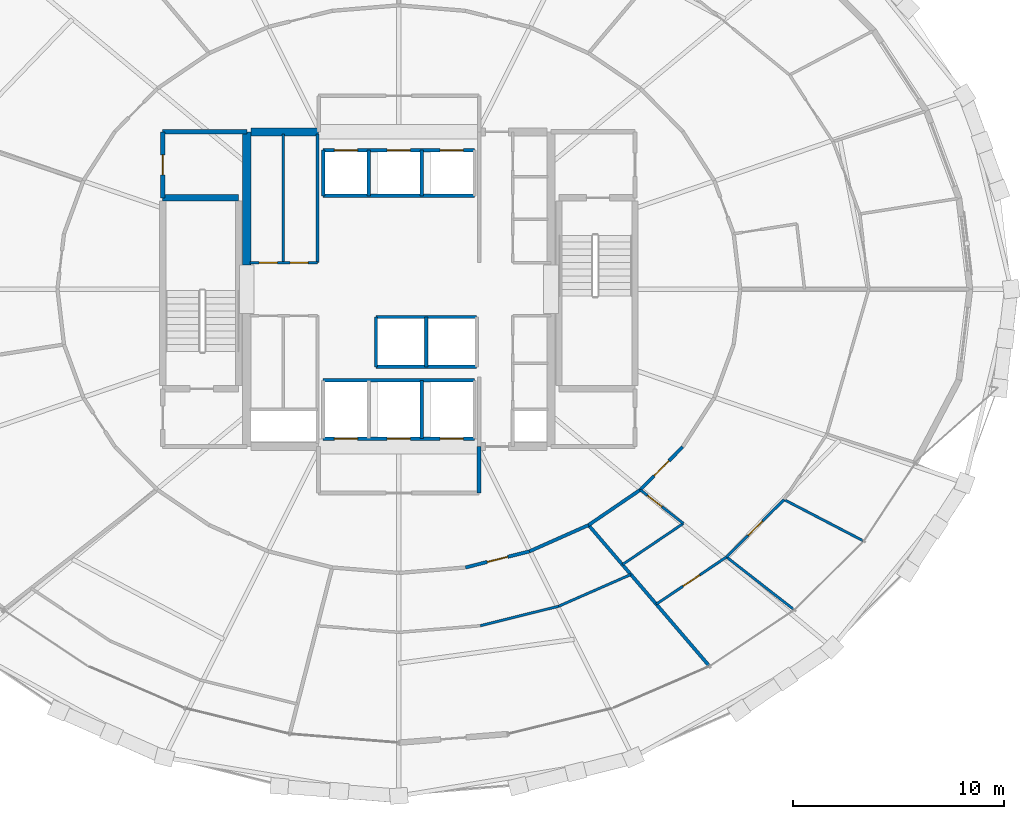
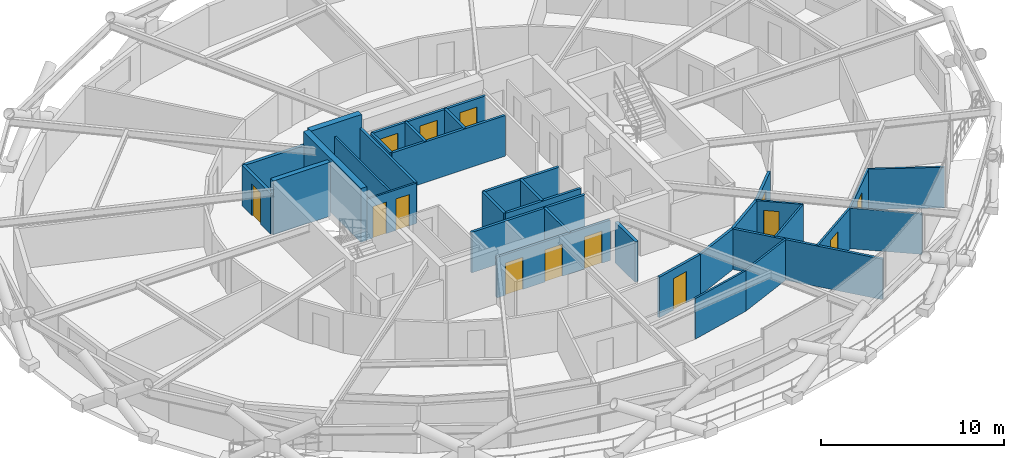
# One storey, part 14 of 19: 34 walls, 14 doors, 14 openings.
"""IFC4 building model written with IfcOpenShell, lengths in metres."""

from ifc_helpers import new_model, si_unit, direction, frame, frame_2d, origin, place, context, subcontext, project, spatial, rectangle, extrude, material, layer, layer_set, type_object, element, fill, save


model = new_model("IFC4")

# Units and contexts
model_context = context("Model", 3, precision=1e-05, world=origin(), true_north=direction((0.0, 1.0)))
body_context = subcontext(model_context, "Body", "Model", "MODEL_VIEW")
ifc_project = project(units=[si_unit("LENGTHUNIT", "METRE"), si_unit("AREAUNIT", "SQUARE_METRE"), si_unit("VOLUMEUNIT", "CUBIC_METRE"), si_unit("PLANEANGLEUNIT", "RADIAN"), si_unit("MASSUNIT", "GRAM", prefix="KILO")], contexts=[model_context])

# Site, building, storey
site_placement = place(None, origin())
site = spatial("IfcSite", under=ifc_project, at=site_placement, CompositionType="ELEMENT")
building_placement = place(site_placement, origin())
building = spatial("IfcBuilding", under=site, at=building_placement, Name="Veldorina Hangang Commons", CompositionType="ELEMENT")
storey_placement = place(building_placement, frame((0.0, 0.0, 77.199951171875)))
storey = spatial("IfcBuildingStorey", under=building, at=storey_placement, Name="L19", CompositionType="ELEMENT", Elevation=77.199951171875)

# Walls
ifc_material_1 = material(Name="Concrete C70/85", Category="concrete")
ifc_layer_1 = layer(ifc_material_1, 0.3798828125)
ifc_layer_set_1 = layer_set([ifc_layer_1], Name="Concrete C70/85")
wall_type_1 = type_object("IfcWallType", Name="CW-RC380-C70", PredefinedType="SHEAR", material=ifc_layer_set_1)
wall_1_placement = place(storey_placement, frame((24.800048828125, 25.14990234375, 0.0), z_axis=(0.0, 0.0, 1.0), x_axis=(0.0, 1.0, 0.0)))
element("IfcWall", 1, at=wall_1_placement, inside=storey, type_object=wall_type_1, Name="L19 W north core shear wall", PredefinedType="SHEAR", context=body_context, shape_type="SweptSolid", body=[
    extrude(rectangle(XDim=6.300048828125, YDim=0.3798828125, at=frame_2d((3.14990234375, 0.0))), origin(), (0.0, 0.0, 1.0), 3.60009765625),
])
wall_2_placement = place(storey_placement, frame((24.989990234375, 31.449951171875, 0.0), z_axis=(0.0, 0.0, 1.0), x_axis=(1.0, 0.0, 0.0)))
element("IfcWall", 2, at=wall_2_placement, inside=storey, type_object=wall_type_1, Name="L19 north-west core shear wall", PredefinedType="SHEAR", context=body_context, shape_type="SweptSolid", body=[
    extrude(rectangle(XDim=3.2099609375, YDim=0.3798828125, at=frame_2d((1.60498046875, 0.0))), origin(), (0.0, 0.0, 1.0), 3.60009765625),
])
ifc_material_2 = material(Name="Concrete C50/60", Category="concrete")
ifc_layer_2 = layer(ifc_material_2, 0.300048828125)
ifc_layer_set_2 = layer_set([ifc_layer_2], Name="Concrete C50/60")
wall_type_2 = type_object("IfcWallType", Name="SW-STAIR-300", PredefinedType="SHEAR", material=ifc_layer_set_2)
wall_3_placement = place(storey_placement, frame((20.820068359375, 28.320068359375, 0.0), z_axis=(0.0, 0.0, 1.0), x_axis=(1.0, 0.0, 0.0)))
element("IfcWall", 3, at=wall_3_placement, inside=storey, type_object=wall_type_2, Name="L19 ST1 north stair shear wall", PredefinedType="SHEAR", context=body_context, shape_type="SweptSolid", body=[
    extrude(rectangle(XDim=3.599853515625, YDim=0.300048828125, at=frame_2d((1.7998046875, 0.0))), origin(), (0.0, 0.0, 1.0), 3.60009765625),
])

# Wall, openings, doors
ifc_material_3 = material(Name="Gypsum Fire-Rated Twin Stud Wall", Category="gypsum")
ifc_layer_3 = layer(ifc_material_3, 0.159912109375)
ifc_layer_set_3 = layer_set([ifc_layer_3], Name="Gypsum Fire-Rated Twin Stud Wall")
wall_type_3 = type_object("IfcWallType", Name="WL-FIRE-160", PredefinedType="SOLIDWALL", material=ifc_layer_set_3)
wall_4_placement = place(storey_placement, frame((28.419921875, 30.580078125, 0.0), z_axis=(0.0, 0.0, 1.0), x_axis=(1.0, 0.0, 0.0)))
wall_4 = element("IfcWall", 4, at=wall_4_placement, inside=storey, type_object=wall_type_3, Name="L19 Low-bank front shaft wall 015", PredefinedType="SOLIDWALL", context=body_context, shape_type="SweptSolid", body=[
    extrude(rectangle(XDim=7.16015625, YDim=0.159912109375, at=frame_2d((3.580078125, 0.0))), origin(), (0.0, 0.0, 1.0), 2.7099609375),
])
opening_1_placement = place(wall_4_placement, frame((0.530029296875, 0.0, 0.0)))
opening_1 = element("IfcOpeningElement", 5, at=opening_1_placement, cuts=wall_4, Name="Opening LD-01", PredefinedType="OPENING", context=body_context, shape_type="SweptSolid", body=[
    extrude(rectangle(XDim=1.10009765625, YDim=2.14990234375, at=frame_2d((0.550048828125, 1.074951171875))), frame((0.0, 0.08984375, 0.0), z_axis=(0.0, -1.0, 0.0), x_axis=(1.0, 0.0, 0.0)), (0.0, 0.0, 1.0), 0.179931640625),
])
opening_2_placement = place(wall_4_placement, frame((3.030029296875, 0.0, 0.0)))
opening_2 = element("IfcOpeningElement", 6, at=opening_2_placement, cuts=wall_4, Name="Opening LD-01", PredefinedType="OPENING", context=body_context, shape_type="SweptSolid", body=[
    extrude(rectangle(XDim=1.10009765625, YDim=2.14990234375, at=frame_2d((0.550048828125, 1.074951171875))), frame((0.0, 0.08984375, 0.0), z_axis=(0.0, -1.0, 0.0), x_axis=(1.0, 0.0, 0.0)), (0.0, 0.0, 1.0), 0.179931640625),
])
opening_3_placement = place(wall_4_placement, frame((5.530029296875, 0.0, 0.0)))
opening_3 = element("IfcOpeningElement", 7, at=opening_3_placement, cuts=wall_4, Name="Opening LD-01", PredefinedType="OPENING", context=body_context, shape_type="SweptSolid", body=[
    extrude(rectangle(XDim=1.10009765625, YDim=2.14990234375, at=frame_2d((0.550048828125, 1.074951171875))), frame((0.0, 0.08984375, 0.0), z_axis=(0.0, -1.0, 0.0), x_axis=(1.0, 0.0, 0.0)), (0.0, 0.0, 1.0), 0.179931640625),
])
ifc_material_4 = material(Name="Stainless Steel Brushed Lift Door", Category="steel")
door_type_1 = type_object("IfcDoorType", Name="DR-LIFT-1100", OperationType="SLIDING_TO_LEFT", PredefinedType="DOOR", material=ifc_material_4)
door_1_placement = place(opening_1_placement, origin())
door_1 = element("IfcDoor", 8, at=door_1_placement, inside=storey, type_object=door_type_1, Name="L19 Lift PL-L1 landing door 006", OperationType="SLIDING_TO_LEFT", OverallHeight=2.14990234375, OverallWidth=1.10009765625, PredefinedType="DOOR", context=body_context, shape_type="SweptSolid", body=[
    extrude(rectangle(XDim=1.10009765625, YDim=2.14990234375, at=frame_2d((0.550048828125, 1.074951171875))), frame((0.0, 0.02490234375, 0.0), z_axis=(0.0, -1.0, 0.0), x_axis=(1.0, 0.0, 0.0)), (0.0, 0.0, 1.0), 0.050048828125),
])
fill(opening_1, door_1)
door_2_placement = place(opening_2_placement, origin())
door_2 = element("IfcDoor", 9, at=door_2_placement, inside=storey, type_object=door_type_1, Name="L19 Lift PL-L2 landing door 007", OperationType="SLIDING_TO_LEFT", OverallHeight=2.14990234375, OverallWidth=1.10009765625, PredefinedType="DOOR", context=body_context, shape_type="SweptSolid", body=[
    extrude(rectangle(XDim=1.10009765625, YDim=2.14990234375, at=frame_2d((0.550048828125, 1.074951171875))), frame((0.0, 0.02490234375, 0.0), z_axis=(0.0, -1.0, 0.0), x_axis=(1.0, 0.0, 0.0)), (0.0, 0.0, 1.0), 0.050048828125),
])
fill(opening_2, door_2)
door_3_placement = place(opening_3_placement, origin())
door_3 = element("IfcDoor", 10, at=door_3_placement, inside=storey, type_object=door_type_1, Name="L19 Lift PL-L3 landing door 008", OperationType="SLIDING_TO_LEFT", OverallHeight=2.14990234375, OverallWidth=1.10009765625, PredefinedType="DOOR", context=body_context, shape_type="SweptSolid", body=[
    extrude(rectangle(XDim=1.10009765625, YDim=2.14990234375, at=frame_2d((0.550048828125, 1.074951171875))), frame((0.0, 0.02490234375, 0.0), z_axis=(0.0, -1.0, 0.0), x_axis=(1.0, 0.0, 0.0)), (0.0, 0.0, 1.0), 0.050048828125),
])
fill(opening_3, door_3)

# Walls
wall_5_placement = place(storey_placement, frame((28.419921875, 28.419921875, 0.0), z_axis=(0.0, 0.0, 1.0), x_axis=(1.0, 0.0, 0.0)))
element("IfcWall", 11, at=wall_5_placement, inside=storey, type_object=wall_type_3, Name="L19 Low-bank rear shaft wall 016", PredefinedType="SOLIDWALL", context=body_context, shape_type="SweptSolid", body=[
    extrude(rectangle(XDim=7.16015625, YDim=0.159912109375, at=frame_2d((3.580078125, 0.0))), origin(), (0.0, 0.0, 1.0), 2.7099609375),
])
for number, where, z_axis, x_axis, name in (
    (12, (28.419921875, 28.419921875, 0.0), (0.0, 0.0, 1.0), (0.0, 1.0, 0.0), "L19 PL-L1 west shaft wall 017"),
    (13, (30.580078125, 28.419921875, 0.0), (0.0, 0.0, 1.0), (0.0, 1.0, 0.0), "L19 PL-L1 east shaft wall 018"),
    (14, (33.080078125, 28.419921875, 0.0), (0.0, 0.0, 1.0), (0.0, 1.0, 0.0), "L19 PL-L2 east shaft wall 019"),
):
    element("IfcWall", number, at=place(storey_placement, frame(where, z_axis=z_axis, x_axis=x_axis)), inside=storey, type_object=wall_type_3, Name=name, PredefinedType="SOLIDWALL", context=body_context, shape_type="SweptSolid", body=[
        extrude(rectangle(XDim=2.16015625, YDim=0.159912109375, at=frame_2d((1.080078125, 0.0))), origin(), (0.0, 0.0, 1.0), 2.7099609375),
    ])
for number, where, z_axis, x_axis, name in (
    (15, (30.919921875, 22.679931640625, 0.0), (0.0, 0.0, 1.0), (1.0, 0.0, 0.0), "L19 Shuttle-high front shaft wall 021"),
    (16, (30.919921875, 20.320068359375, 0.0), (0.0, 0.0, 1.0), (1.0, 0.0, 0.0), "L19 Shuttle-high rear shaft wall 022"),
):
    element("IfcWall", number, at=place(storey_placement, frame(where, z_axis=z_axis, x_axis=x_axis)), inside=storey, type_object=wall_type_3, Name=name, PredefinedType="SOLIDWALL", context=body_context, shape_type="SweptSolid", body=[
        extrude(rectangle(XDim=4.760009765625, YDim=0.159912109375, at=frame_2d((2.3798828125, 0.0))), origin(), (0.0, 0.0, 1.0), 2.7099609375),
    ])
for number, where, z_axis, x_axis, name in (
    (17, (30.919921875, 20.320068359375, 0.0), (0.0, 0.0, 1.0), (0.0, 1.0, 0.0), "L19 SL-1 west shaft wall 023"),
    (18, (33.300048828125, 20.320068359375, 0.0), (0.0, 0.0, 1.0), (0.0, 1.0, 0.0), "L19 SL-1 east shaft wall 024"),
):
    element("IfcWall", number, at=place(storey_placement, frame(where, z_axis=z_axis, x_axis=x_axis)), inside=storey, type_object=wall_type_3, Name=name, PredefinedType="SOLIDWALL", context=body_context, shape_type="SweptSolid", body=[
        extrude(rectangle(XDim=2.35986328125, YDim=0.159912109375, at=frame_2d((1.179931640625, 0.0))), origin(), (0.0, 0.0, 1.0), 2.7099609375),
    ])

# Wall, openings, doors
wall_6_placement = place(storey_placement, frame((28.419921875, 16.919921875, 0.0), z_axis=(0.0, 0.0, 1.0), x_axis=(1.0, 0.0, 0.0)))
wall_6 = element("IfcWall", 19, at=wall_6_placement, inside=storey, type_object=wall_type_3, Name="L19 Emergency front shaft wall 026", PredefinedType="SOLIDWALL", context=body_context, shape_type="SweptSolid", body=[
    extrude(rectangle(XDim=7.16015625, YDim=0.159912109375, at=frame_2d((3.580078125, 0.0))), origin(), (0.0, 0.0, 1.0), 2.7099609375),
])
opening_4_placement = place(wall_6_placement, frame((0.530029296875, 0.0, 0.0)))
opening_4 = element("IfcOpeningElement", 20, at=opening_4_placement, cuts=wall_6, Name="Opening LD-03", PredefinedType="OPENING", context=body_context, shape_type="SweptSolid", body=[
    extrude(rectangle(XDim=1.10009765625, YDim=2.14990234375, at=frame_2d((0.550048828125, 1.074951171875))), frame((0.0, 0.08984375, 0.0), z_axis=(0.0, -1.0, 0.0), x_axis=(1.0, 0.0, 0.0)), (0.0, 0.0, 1.0), 0.179931640625),
])
opening_5_placement = place(wall_6_placement, frame((3.030029296875, 0.0, 0.0)))
opening_5 = element("IfcOpeningElement", 21, at=opening_5_placement, cuts=wall_6, Name="Opening LD-03", PredefinedType="OPENING", context=body_context, shape_type="SweptSolid", body=[
    extrude(rectangle(XDim=1.10009765625, YDim=2.14990234375, at=frame_2d((0.550048828125, 1.074951171875))), frame((0.0, 0.08984375, 0.0), z_axis=(0.0, -1.0, 0.0), x_axis=(1.0, 0.0, 0.0)), (0.0, 0.0, 1.0), 0.179931640625),
])
opening_6_placement = place(wall_6_placement, frame((5.530029296875, 0.0, 0.0)))
opening_6 = element("IfcOpeningElement", 22, at=opening_6_placement, cuts=wall_6, Name="Opening LD-03", PredefinedType="OPENING", context=body_context, shape_type="SweptSolid", body=[
    extrude(rectangle(XDim=1.10009765625, YDim=2.14990234375, at=frame_2d((0.550048828125, 1.074951171875))), frame((0.0, 0.08984375, 0.0), z_axis=(0.0, -1.0, 0.0), x_axis=(1.0, 0.0, 0.0)), (0.0, 0.0, 1.0), 0.179931640625),
])
ifc_material_5 = material(Name="Stainless Steel Firefighting Lift Door", Category="steel")
door_type_2 = type_object("IfcDoorType", Name="DR-LIFT-FF1100", OperationType="SLIDING_TO_RIGHT", PredefinedType="DOOR", material=ifc_material_5)
door_4_placement = place(opening_4_placement, origin())
door_4 = element("IfcDoor", 23, at=door_4_placement, inside=storey, type_object=door_type_2, Name="L19 Emergency lift FFL-1 landing door 009", OperationType="SLIDING_TO_RIGHT", OverallHeight=2.14990234375, OverallWidth=1.10009765625, PredefinedType="DOOR", context=body_context, shape_type="SweptSolid", body=[
    extrude(rectangle(XDim=1.10009765625, YDim=2.14990234375, at=frame_2d((0.550048828125, 1.074951171875))), frame((0.0, 0.02490234375, 0.0), z_axis=(0.0, -1.0, 0.0), x_axis=(1.0, 0.0, 0.0)), (0.0, 0.0, 1.0), 0.050048828125),
])
fill(opening_4, door_4)
door_5_placement = place(opening_5_placement, origin())
door_5 = element("IfcDoor", 24, at=door_5_placement, inside=storey, type_object=door_type_2, Name="L19 Emergency lift FFL-2 landing door 010", OperationType="SLIDING_TO_RIGHT", OverallHeight=2.14990234375, OverallWidth=1.10009765625, PredefinedType="DOOR", context=body_context, shape_type="SweptSolid", body=[
    extrude(rectangle(XDim=1.10009765625, YDim=2.14990234375, at=frame_2d((0.550048828125, 1.074951171875))), frame((0.0, 0.02490234375, 0.0), z_axis=(0.0, -1.0, 0.0), x_axis=(1.0, 0.0, 0.0)), (0.0, 0.0, 1.0), 0.050048828125),
])
fill(opening_5, door_5)
door_6_placement = place(opening_6_placement, origin())
door_6 = element("IfcDoor", 25, at=door_6_placement, inside=storey, type_object=door_type_2, Name="L19 Emergency lift EVL-1 landing door 011", OperationType="SLIDING_TO_RIGHT", OverallHeight=2.14990234375, OverallWidth=1.10009765625, PredefinedType="DOOR", context=body_context, shape_type="SweptSolid", body=[
    extrude(rectangle(XDim=1.10009765625, YDim=2.14990234375, at=frame_2d((0.550048828125, 1.074951171875))), frame((0.0, 0.02490234375, 0.0), z_axis=(0.0, -1.0, 0.0), x_axis=(1.0, 0.0, 0.0)), (0.0, 0.0, 1.0), 0.050048828125),
])
fill(opening_6, door_6)

# Walls
wall_7_placement = place(storey_placement, frame((28.419921875, 19.679931640625, 0.0), z_axis=(0.0, 0.0, 1.0), x_axis=(1.0, 0.0, 0.0)))
element("IfcWall", 26, at=wall_7_placement, inside=storey, type_object=wall_type_3, Name="L19 Emergency rear shaft wall 027", PredefinedType="SOLIDWALL", context=body_context, shape_type="SweptSolid", body=[
    extrude(rectangle(XDim=7.16015625, YDim=0.159912109375, at=frame_2d((3.580078125, 0.0))), origin(), (0.0, 0.0, 1.0), 2.7099609375),
])
wall_8_placement = place(storey_placement, frame((33.080078125, 16.919921875, 0.0), z_axis=(0.0, 0.0, 1.0), x_axis=(0.0, 1.0, 0.0)))
element("IfcWall", 27, at=wall_8_placement, inside=storey, type_object=wall_type_3, Name="L19 FFL-2 east shaft wall 030", PredefinedType="SOLIDWALL", context=body_context, shape_type="SweptSolid", body=[
    extrude(rectangle(XDim=2.760009765625, YDim=0.159912109375, at=frame_2d((1.3798828125, 0.0))), origin(), (0.0, 0.0, 1.0), 2.7099609375),
])
wall_9_placement = place(storey_placement, frame((28.14990234375, 25.25, 0.0), z_axis=(0.0, 0.0, 1.0), x_axis=(0.0, 1.0, 0.0)))
element("IfcWall", 28, at=wall_9_placement, inside=storey, type_object=wall_type_3, Name="L19 NW core inner wall 038", PredefinedType="SOLIDWALL", context=body_context, shape_type="SweptSolid", body=[
    extrude(rectangle(XDim=6.10009765625, YDim=0.159912109375, at=frame_2d((3.050048828125, 0.0))), origin(), (0.0, 0.0, 1.0), 2.7099609375),
])

# Wall, opening, door
wall_10_placement = place(storey_placement, frame((35.153076171875, 10.82421875, 0.0), z_axis=(0.0, 0.0, 1.0), x_axis=(0.969653665365, 0.244482656326, 0.0)))
wall_10 = element("IfcWall", 29, at=wall_10_placement, inside=storey, type_object=wall_type_3, Name="L19 Corridor outer wall 25 075", PredefinedType="SOLIDWALL", context=body_context, shape_type="SweptSolid", body=[
    extrude(rectangle(XDim=3.126708984375, YDim=0.159912109375, at=frame_2d((1.5634765625, 0.0))), origin(), (0.0, 0.0, 1.0), 2.7099609375),
])
opening_7_placement = place(wall_10_placement, frame((1.0634765625, 0.0, 0.0)))
opening_7 = element("IfcOpeningElement", 30, at=opening_7_placement, cuts=wall_10, Name="Opening D-05", PredefinedType="OPENING", context=body_context, shape_type="SweptSolid", body=[
    extrude(rectangle(XDim=1.0, YDim=2.10009765625, at=frame_2d((0.5, 1.050048828125))), frame((0.0, 0.08984375, 0.0), z_axis=(0.0, -1.0, 0.0), x_axis=(1.0, 0.0, 0.0)), (0.0, 0.0, 1.0), 0.179931640625),
])
ifc_material_6 = material(Name="Timber Solid Core Acoustic", Category="wood")
door_type_3 = type_object("IfcDoorType", Name="DR-INT-1000", OperationType="SINGLE_SWING_RIGHT", PredefinedType="DOOR", material=ifc_material_6)
door_7_placement = place(opening_7_placement, origin())
door_7 = element("IfcDoor", 31, at=door_7_placement, inside=storey, type_object=door_type_3, Name="L19 Commons alcove door 022", OperationType="SINGLE_SWING_RIGHT", OverallHeight=2.10009765625, OverallWidth=1.0, PredefinedType="DOOR", context=body_context, shape_type="SweptSolid", body=[
    extrude(rectangle(XDim=1.0, YDim=2.10009765625, at=frame_2d((0.5, 1.050048828125))), frame((0.0, 0.02490234375, 0.0), z_axis=(0.0, -1.0, 0.0), x_axis=(1.0, 0.0, 0.0)), (0.0, 0.0, 1.0), 0.050048828125),
])
fill(opening_7, door_7)

# Walls
wall_11_placement = place(storey_placement, frame((38.184814453125, 11.588623046875, 0.0), z_axis=(0.0, 0.0, 1.0), x_axis=(0.913860932409, 0.406027334321, 0.0)))
element("IfcWall", 32, at=wall_11_placement, inside=storey, type_object=wall_type_3, Name="L19 Corridor outer wall 26 076", PredefinedType="SOLIDWALL", context=body_context, shape_type="SweptSolid", body=[
    extrude(rectangle(XDim=3.0576171875, YDim=0.159912109375, at=frame_2d((1.52880859375, 0.0))), origin(), (0.0, 0.0, 1.0), 2.7099609375),
])
wall_12_placement = place(storey_placement, frame((40.97900390625, 12.830078125, 0.0), z_axis=(0.0, 0.0, 1.0), x_axis=(0.826112340767, 0.563505457323, 0.0)))
element("IfcWall", 33, at=wall_12_placement, inside=storey, type_object=wall_type_3, Name="L19 Corridor outer wall 27 077", PredefinedType="SOLIDWALL", context=body_context, shape_type="SweptSolid", body=[
    extrude(rectangle(XDim=2.96484375, YDim=0.159912109375, at=frame_2d((1.482421875, 0.0))), origin(), (0.0, 0.0, 1.0), 2.7099609375),
])

# Wall, opening, door
wall_13_placement = place(storey_placement, frame((43.42822265625, 14.500732421875, 0.0), z_axis=(0.0, 0.0, 1.0), x_axis=(0.702569520063, 0.711615113301, 0.0)))
wall_13 = element("IfcWall", 34, at=wall_13_placement, inside=storey, type_object=wall_type_3, Name="L19 Corridor outer wall 28 078", PredefinedType="SOLIDWALL", context=body_context, shape_type="SweptSolid", body=[
    extrude(rectangle(XDim=2.86083984375, YDim=0.159912109375, at=frame_2d((1.430419921875, 0.0))), origin(), (0.0, 0.0, 1.0), 2.7099609375),
])
opening_8_placement = place(wall_13_placement, frame((0.930419921875, 0.0, 0.0)))
opening_8 = element("IfcOpeningElement", 35, at=opening_8_placement, cuts=wall_13, Name="Opening D-06", PredefinedType="OPENING", context=body_context, shape_type="SweptSolid", body=[
    extrude(rectangle(XDim=1.0, YDim=2.10009765625, at=frame_2d((0.5, 1.050048828125))), frame((0.0, 0.08984375, 0.0), z_axis=(0.0, -1.0, 0.0), x_axis=(1.0, 0.0, 0.0)), (0.0, 0.0, 1.0), 0.179931640625),
])
ifc_material_7 = material(Name="Timber Fire-Rated Entrance Core", Category="wood")
door_type_4 = type_object("IfcDoorType", Name="DR-UNIT-1000", OperationType="SINGLE_SWING_LEFT", PredefinedType="DOOR", material=ifc_material_7)
door_8_placement = place(opening_8_placement, origin())
door_8 = element("IfcDoor", 36, at=door_8_placement, inside=storey, type_object=door_type_4, Name="L19 Cluster 2 entrance door 025", OperationType="SINGLE_SWING_LEFT", OverallHeight=2.10009765625, OverallWidth=1.0, PredefinedType="DOOR", context=body_context, shape_type="SweptSolid", body=[
    extrude(rectangle(XDim=1.0, YDim=2.10009765625, at=frame_2d((0.5, 1.050048828125))), frame((0.0, 0.02490234375, 0.0), z_axis=(0.0, -1.0, 0.0), x_axis=(1.0, 0.0, 0.0)), (0.0, 0.0, 1.0), 0.050048828125),
])
fill(opening_8, door_8)

# Wall
wall_14_placement = place(storey_placement, frame((40.97900390625, 12.830078125, 0.0), z_axis=(0.0, 0.0, 1.0), x_axis=(0.650772992722, -0.759272356894, 0.0)))
element("IfcWall", 37, at=wall_14_placement, inside=storey, type_object=wall_type_3, Name="L19 Unit party wall 27 087", PredefinedType="SOLIDWALL", context=body_context, shape_type="SweptSolid", body=[
    extrude(rectangle(XDim=8.7509765625, YDim=0.159912109375, at=frame_2d((4.37548828125, 0.0))), origin(), (0.0, 0.0, 1.0), 2.7099609375),
])

# Wall, opening, door
ifc_material_8 = material(Name="Concrete Blockwork Fire Wall C30/37", Category="masonry")
ifc_layer_4 = layer(ifc_material_8, 0.199951171875)
ifc_layer_set_4 = layer_set([ifc_layer_4], Name="Concrete Blockwork Fire Wall C30/37")
wall_type_4 = type_object("IfcWallType", Name="WL-FIRE-200", PredefinedType="SOLIDWALL", material=ifc_layer_set_4)
wall_15_placement = place(storey_placement, frame((20.820068359375, 28.320068359375, 0.0), z_axis=(0.0, 0.0, 1.0), x_axis=(0.0, 1.0, 0.0)))
wall_15 = element("IfcWall", 38, at=wall_15_placement, inside=storey, type_object=wall_type_4, Name="L19 NW core room outer wall 005", PredefinedType="SOLIDWALL", context=body_context, shape_type="SweptSolid", body=[
    extrude(rectangle(XDim=3.1298828125, YDim=0.199951171875, at=frame_2d((1.56494140625, 0.0))), origin(), (0.0, 0.0, 1.0), 2.7099609375),
])
opening_9_placement = place(wall_15_placement, frame((1.090087890625, 0.0, 0.0)))
opening_9 = element("IfcOpeningElement", 39, at=opening_9_placement, cuts=wall_15, Name="Opening D-04", PredefinedType="OPENING", context=body_context, shape_type="SweptSolid", body=[
    extrude(rectangle(XDim=0.949951171875, YDim=2.10009765625, at=frame_2d((0.47509765625, 1.050048828125))), frame((0.0, 0.10986328125, 0.0), z_axis=(0.0, -1.0, 0.0), x_axis=(1.0, 0.0, 0.0)), (0.0, 0.0, 1.0), 0.219970703125),
])
ifc_material_9 = material(Name="Timber Accessible Flush Leaf", Category="wood")
door_type_5 = type_object("IfcDoorType", Name="DR-ACC-950", OperationType="SINGLE_SWING_LEFT", PredefinedType="DOOR", material=ifc_material_9)
door_9_placement = place(opening_9_placement, origin())
door_9 = element("IfcDoor", 40, at=door_9_placement, inside=storey, type_object=door_type_5, Name="L19 NW core WC door 003", OperationType="SINGLE_SWING_LEFT", OverallHeight=2.10009765625, OverallWidth=0.949951171875, PredefinedType="DOOR", context=body_context, shape_type="SweptSolid", body=[
    extrude(rectangle(XDim=0.949951171875, YDim=2.10009765625, at=frame_2d((0.47509765625, 1.050048828125))), frame((0.0, 0.02490234375, 0.0), z_axis=(0.0, -1.0, 0.0), x_axis=(1.0, 0.0, 0.0)), (0.0, 0.0, 1.0), 0.050048828125),
])
fill(opening_9, door_9)

# Walls
wall_16_placement = place(storey_placement, frame((20.820068359375, 31.449951171875, 0.0), z_axis=(0.0, 0.0, 1.0), x_axis=(1.0, 0.0, 0.0)))
element("IfcWall", 41, at=wall_16_placement, inside=storey, type_object=wall_type_4, Name="L19 NW core room north wall 006", PredefinedType="SOLIDWALL", context=body_context, shape_type="SweptSolid", body=[
    extrude(rectangle(XDim=3.97998046875, YDim=0.199951171875, at=frame_2d((1.989990234375, 0.0))), origin(), (0.0, 0.0, 1.0), 2.7099609375),
])
wall_17_placement = place(storey_placement, frame((35.800048828125, 14.35009765625, 0.0), z_axis=(0.0, 0.0, 1.0), x_axis=(0.0, 1.0, 0.0)))
element("IfcWall", 42, at=wall_17_placement, inside=storey, type_object=wall_type_4, Name="L19 FF lobby east wall 013", PredefinedType="SOLIDWALL", context=body_context, shape_type="SweptSolid", body=[
    extrude(rectangle(XDim=2.199951171875, YDim=0.199951171875, at=frame_2d((1.10009765625, 0.0))), origin(), (0.0, 0.0, 1.0), 2.7099609375),
])

# Wall, openings, doors
ifc_material_10 = material(Name="Gypsum Acoustic Stud Partition", Category="gypsum")
ifc_layer_5 = layer(ifc_material_10, 0.1201171875)
ifc_layer_set_5 = layer_set([ifc_layer_5], Name="Gypsum Acoustic Stud Partition")
wall_type_5 = type_object("IfcWallType", Name="WL-PART-120", PredefinedType="PARTITIONING", material=ifc_layer_set_5)
wall_18_placement = place(storey_placement, frame((24.949951171875, 25.25, 0.0), z_axis=(0.0, 0.0, 1.0), x_axis=(1.0, 0.0, 0.0)))
wall_18 = element("IfcWall", 43, at=wall_18_placement, inside=storey, type_object=wall_type_5, Name="L19 NW service south wall 039", PredefinedType="PARTITIONING", context=body_context, shape_type="SweptSolid", body=[
    extrude(rectangle(XDim=3.199951171875, YDim=0.1201171875, at=frame_2d((1.60009765625, 0.0))), origin(), (0.0, 0.0, 1.0), 2.7099609375),
])
opening_10_placement = place(wall_18_placement, frame((0.43994140625, 0.0, 0.0)))
opening_10 = element("IfcOpeningElement", 44, at=opening_10_placement, cuts=wall_18, Name="Opening D-01", PredefinedType="OPENING", context=body_context, shape_type="SweptSolid", body=[
    extrude(rectangle(XDim=0.860107421875, YDim=2.10009765625, at=frame_2d((0.43017578125, 1.050048828125))), frame((0.0, 0.070068359375, 0.0), z_axis=(0.0, -1.0, 0.0), x_axis=(1.0, 0.0, 0.0)), (0.0, 0.0, 1.0), 0.14013671875),
])
opening_11_placement = place(wall_18_placement, frame((1.89990234375, 0.0, 0.0)))
opening_11 = element("IfcOpeningElement", 45, at=opening_11_placement, cuts=wall_18, Name="Opening D-01", PredefinedType="OPENING", context=body_context, shape_type="SweptSolid", body=[
    extrude(rectangle(XDim=0.860107421875, YDim=2.10009765625, at=frame_2d((0.43017578125, 1.050048828125))), frame((0.0, 0.070068359375, 0.0), z_axis=(0.0, -1.0, 0.0), x_axis=(1.0, 0.0, 0.0)), (0.0, 0.0, 1.0), 0.14013671875),
])
ifc_material_11 = material(Name="Timber Moisture-Resistant Core", Category="wood")
door_type_6 = type_object("IfcDoorType", Name="DR-WET-860", OperationType="SINGLE_SWING_LEFT", PredefinedType="DOOR", material=ifc_material_11)
door_10_placement = place(opening_10_placement, origin())
door_10 = element("IfcDoor", 46, at=door_10_placement, inside=storey, type_object=door_type_6, Name="L19 Linen west door 013", OperationType="SINGLE_SWING_LEFT", OverallHeight=2.10009765625, OverallWidth=0.860107421875, PredefinedType="DOOR", context=body_context, shape_type="SweptSolid", body=[
    extrude(rectangle(XDim=0.860107421875, YDim=2.10009765625, at=frame_2d((0.43017578125, 1.050048828125))), frame((0.0, 0.02490234375, 0.0), z_axis=(0.0, -1.0, 0.0), x_axis=(1.0, 0.0, 0.0)), (0.0, 0.0, 1.0), 0.050048828125),
])
fill(opening_10, door_10)
door_11_placement = place(opening_11_placement, origin())
door_11 = element("IfcDoor", 47, at=door_11_placement, inside=storey, type_object=door_type_6, Name="L19 Data closet door 014", OperationType="SINGLE_SWING_RIGHT", OverallHeight=2.10009765625, OverallWidth=0.860107421875, PredefinedType="DOOR", context=body_context, shape_type="SweptSolid", body=[
    extrude(rectangle(XDim=0.860107421875, YDim=2.10009765625, at=frame_2d((0.43017578125, 1.050048828125))), frame((0.0, 0.02490234375, 0.0), z_axis=(0.0, -1.0, 0.0), x_axis=(1.0, 0.0, 0.0)), (0.0, 0.0, 1.0), 0.050048828125),
])
fill(opening_11, door_11)

# Walls
wall_19_placement = place(storey_placement, frame((26.530029296875, 25.25, 0.0), z_axis=(0.0, 0.0, 1.0), x_axis=(0.0, 1.0, 0.0)))
element("IfcWall", 48, at=wall_19_placement, inside=storey, type_object=wall_type_5, Name="L19 NW vertical split 045", PredefinedType="PARTITIONING", context=body_context, shape_type="SweptSolid", body=[
    extrude(rectangle(XDim=6.10009765625, YDim=0.1201171875, at=frame_2d((3.050048828125, 0.0))), origin(), (0.0, 0.0, 1.0), 2.7099609375),
])
wall_20_placement = place(storey_placement, frame((35.85693359375, 8.0654296875, 0.0), z_axis=(0.0, 0.0, 1.0), x_axis=(0.970303847532, 0.24188932069, 0.0)))
element("IfcWall", 49, at=wall_20_placement, inside=storey, type_object=wall_type_5, Name="L19 Lounge alcove split 2 085", PredefinedType="PARTITIONING", context=body_context, shape_type="SweptSolid", body=[
    extrude(rectangle(XDim=3.822265625, YDim=0.1201171875, at=frame_2d((1.9111328125, 0.0))), origin(), (0.0, 0.0, 1.0), 2.7099609375),
])
wall_21_placement = place(storey_placement, frame((39.565673828125, 8.989990234375, 0.0), z_axis=(0.0, 0.0, 1.0), x_axis=(0.915580022578, 0.402135825631, 0.0)))
element("IfcWall", 50, at=wall_21_placement, inside=storey, type_object=wall_type_5, Name="L19 Lounge alcove split 3 086", PredefinedType="PARTITIONING", context=body_context, shape_type="SweptSolid", body=[
    extrude(rectangle(XDim=3.733154296875, YDim=0.1201171875, at=frame_2d((1.86669921875, 0.0))), origin(), (0.0, 0.0, 1.0), 2.7099609375),
])
wall_22_placement = place(storey_placement, frame((42.582763671875, 10.958984375, 0.0), z_axis=(0.0, 0.0, 1.0), x_axis=(0.828573152584, 0.559880818404, 0.0)))
element("IfcWall", 51, at=wall_22_placement, inside=storey, type_object=wall_type_5, Name="L19 Cluster 2 bath front wall 088", PredefinedType="PARTITIONING", context=body_context, shape_type="SweptSolid", body=[
    extrude(rectangle(XDim=3.483642578125, YDim=0.1201171875, at=frame_2d((1.74169921875, 0.0))), origin(), (0.0, 0.0, 1.0), 2.7099609375),
])

# Wall, opening, door
wall_23_placement = place(storey_placement, frame((43.42822265625, 14.500732421875, 0.0), z_axis=(0.0, 0.0, 1.0), x_axis=(0.788630382034, -0.614867563409, 0.0)))
wall_23 = element("IfcWall", 52, at=wall_23_placement, inside=storey, type_object=wall_type_5, Name="L19 Cluster 2 bath side wall 089", PredefinedType="PARTITIONING", context=body_context, shape_type="SweptSolid", body=[
    extrude(rectangle(XDim=2.588134765625, YDim=0.1201171875, at=frame_2d((1.2939453125, 0.0))), origin(), (0.0, 0.0, 1.0), 2.7099609375),
])
opening_12_placement = place(wall_23_placement, frame((0.43994140625, 0.0, 0.0)))
opening_12 = element("IfcOpeningElement", 53, at=opening_12_placement, cuts=wall_23, Name="Opening D-01", PredefinedType="OPENING", context=body_context, shape_type="SweptSolid", body=[
    extrude(rectangle(XDim=0.860107421875, YDim=2.10009765625, at=frame_2d((0.43017578125, 1.050048828125))), frame((0.0, 0.070068359375, 0.0), z_axis=(0.0, -1.0, 0.0), x_axis=(1.0, 0.0, 0.0)), (0.0, 0.0, 1.0), 0.14013671875),
])
door_12_placement = place(opening_12_placement, origin())
door_12 = element("IfcDoor", 54, at=door_12_placement, inside=storey, type_object=door_type_6, Name="L19 Cluster 2 shared bathroom door 024", OperationType="SINGLE_SWING_RIGHT", OverallHeight=2.10009765625, OverallWidth=0.860107421875, PredefinedType="DOOR", context=body_context, shape_type="SweptSolid", body=[
    extrude(rectangle(XDim=0.860107421875, YDim=2.10009765625, at=frame_2d((0.43017578125, 1.050048828125))), frame((0.0, 0.02490234375, 0.0), z_axis=(0.0, -1.0, 0.0), x_axis=(1.0, 0.0, 0.0)), (0.0, 0.0, 1.0), 0.050048828125),
])
fill(opening_12, door_12)

wall_24_placement = place(storey_placement, frame((44.186279296875, 9.087890625, 0.0), z_axis=(0.0, 0.0, 1.0), x_axis=(0.83037634004, 0.557202955755, 0.0)))
wall_24 = element("IfcWall", 55, at=wall_24_placement, inside=storey, type_object=wall_type_5, Name="L19 Cluster 2 bed 1 front wall 090", PredefinedType="PARTITIONING", context=body_context, shape_type="SweptSolid", body=[
    extrude(rectangle(XDim=4.0029296875, YDim=0.1201171875, at=frame_2d((2.00146484375, 0.0))), origin(), (0.0, 0.0, 1.0), 2.7099609375),
])
opening_13_placement = place(wall_24_placement, frame((1.526611328125, 0.0, 0.0)))
opening_13 = element("IfcOpeningElement", 56, at=opening_13_placement, cuts=wall_24, Name="Opening D-02", PredefinedType="OPENING", context=body_context, shape_type="SweptSolid", body=[
    extrude(rectangle(XDim=0.949951171875, YDim=2.10009765625, at=frame_2d((0.47509765625, 1.050048828125))), frame((0.0, 0.070068359375, 0.0), z_axis=(0.0, -1.0, 0.0), x_axis=(1.0, 0.0, 0.0)), (0.0, 0.0, 1.0), 0.14013671875),
])
door_type_7 = type_object("IfcDoorType", Name="DR-INT-950", OperationType="SINGLE_SWING_LEFT", PredefinedType="DOOR", material=ifc_material_6)
door_13_placement = place(opening_13_placement, origin())
door_13 = element("IfcDoor", 57, at=door_13_placement, inside=storey, type_object=door_type_7, Name="L19 Cluster 2 bed 1 door 026", OperationType="SINGLE_SWING_RIGHT", OverallHeight=2.10009765625, OverallWidth=0.949951171875, PredefinedType="DOOR", context=body_context, shape_type="SweptSolid", body=[
    extrude(rectangle(XDim=0.949951171875, YDim=2.10009765625, at=frame_2d((0.47509765625, 1.050048828125))), frame((0.0, 0.02490234375, 0.0), z_axis=(0.0, -1.0, 0.0), x_axis=(1.0, 0.0, 0.0)), (0.0, 0.0, 1.0), 0.050048828125),
])
fill(opening_13, door_13)

wall_25_placement = place(storey_placement, frame((47.51025390625, 11.318359375, 0.0), z_axis=(0.0, 0.0, 1.0), x_axis=(0.708405354772, 0.70580581843, 0.0)))
wall_25 = element("IfcWall", 58, at=wall_25_placement, inside=storey, type_object=wall_type_5, Name="L19 Cluster 2 bed 2 front wall 091", PredefinedType="PARTITIONING", context=body_context, shape_type="SweptSolid", body=[
    extrude(rectangle(XDim=3.8505859375, YDim=0.1201171875, at=frame_2d((1.92529296875, 0.0))), origin(), (0.0, 0.0, 1.0), 2.7099609375),
])
opening_14_placement = place(wall_25_placement, frame((1.4501953125, 0.0, 0.0)))
opening_14 = element("IfcOpeningElement", 59, at=opening_14_placement, cuts=wall_25, Name="Opening D-02", PredefinedType="OPENING", context=body_context, shape_type="SweptSolid", body=[
    extrude(rectangle(XDim=0.949951171875, YDim=2.10009765625, at=frame_2d((0.47509765625, 1.050048828125))), frame((0.0, 0.070068359375, 0.0), z_axis=(0.0, -1.0, 0.0), x_axis=(1.0, 0.0, 0.0)), (0.0, 0.0, 1.0), 0.14013671875),
])
door_14_placement = place(opening_14_placement, origin())
door_14 = element("IfcDoor", 60, at=door_14_placement, inside=storey, type_object=door_type_7, Name="L19 Cluster 2 bed 2 door 027", OperationType="SINGLE_SWING_LEFT", OverallHeight=2.10009765625, OverallWidth=0.949951171875, PredefinedType="DOOR", context=body_context, shape_type="SweptSolid", body=[
    extrude(rectangle(XDim=0.949951171875, YDim=2.10009765625, at=frame_2d((0.47509765625, 1.050048828125))), frame((0.0, 0.02490234375, 0.0), z_axis=(0.0, -1.0, 0.0), x_axis=(1.0, 0.0, 0.0)), (0.0, 0.0, 1.0), 0.050048828125),
])
fill(opening_14, door_14)

# Walls
wall_26_placement = place(storey_placement, frame((47.51025390625, 11.318359375, 0.0), z_axis=(0.0, 0.0, 1.0), x_axis=(0.788634929873, -0.614861730297, 0.0)))
element("IfcWall", 61, at=wall_26_placement, inside=storey, type_object=wall_type_5, Name="L19 Cluster 2 bed divider 1 092", PredefinedType="PARTITIONING", context=body_context, shape_type="SweptSolid", body=[
    extrude(rectangle(XDim=4.0166015625, YDim=0.1201171875, at=frame_2d((2.00830078125, 0.0))), origin(), (0.0, 0.0, 1.0), 2.7099609375),
])
wall_27_placement = place(storey_placement, frame((50.238037109375, 14.0361328125, 0.0), z_axis=(0.0, 0.0, 1.0), x_axis=(0.886891273175, -0.461978213303, 0.0)))
element("IfcWall", 62, at=wall_27_placement, inside=storey, type_object=wall_type_5, Name="L19 Cluster 2 bed divider 2 094", PredefinedType="PARTITIONING", context=body_context, shape_type="SweptSolid", body=[
    extrude(rectangle(XDim=4.202392578125, YDim=0.1201171875, at=frame_2d((2.10107421875, 0.0))), origin(), (0.0, 0.0, 1.0), 2.7099609375),
])

save(model, "model.ifc")
